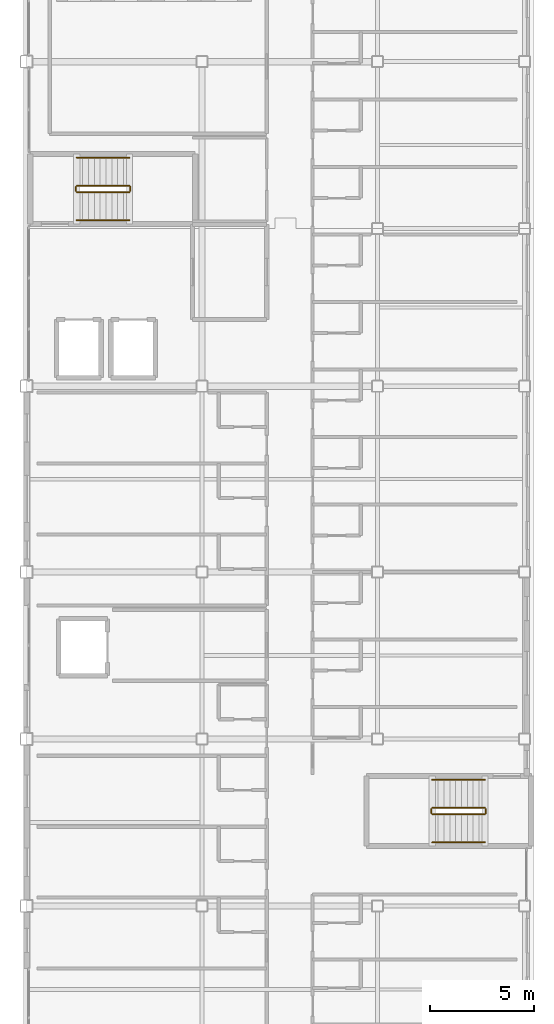
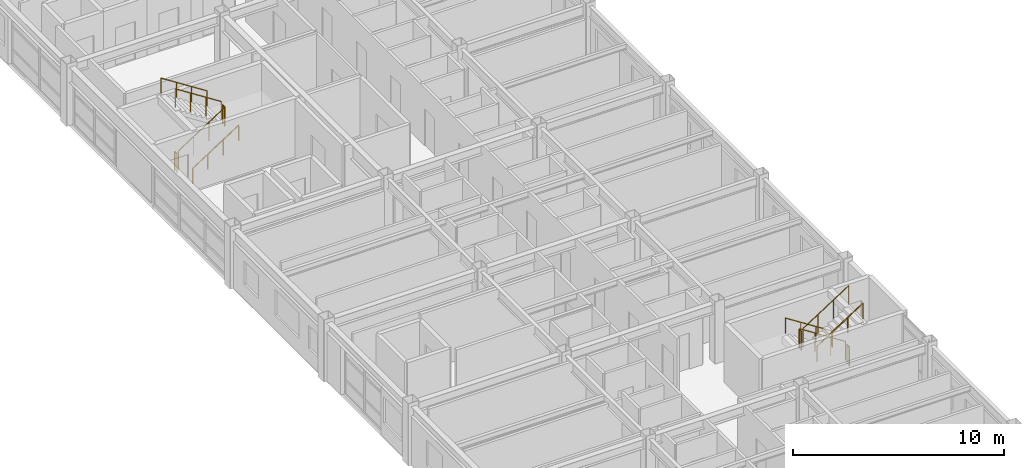
# One storey, part 35 of 36: 12 railings.
"""IFC4 building model written with IfcOpenShell, lengths in metres."""

from ifc_helpers import new_model, si_unit, direction, frame, origin, origin_2d, place, context, subcontext, project, spatial, circle, extrude, material, type_object, element, save


model = new_model("IFC4")

# Units and contexts
model_context = context("Model", 3, precision=1e-05, world=origin(), true_north=direction((0.0, 1.0)))
body_context = subcontext(model_context, "Body", "Model", "MODEL_VIEW")
ifc_project = project(units=[si_unit("LENGTHUNIT", "METRE"), si_unit("AREAUNIT", "SQUARE_METRE"), si_unit("VOLUMEUNIT", "CUBIC_METRE"), si_unit("PLANEANGLEUNIT", "RADIAN"), si_unit("MASSUNIT", "GRAM", prefix="KILO")], contexts=[model_context])

# Site, building, storey
site_placement = place(None, origin())
site = spatial("IfcSite", under=ifc_project, at=site_placement, CompositionType="ELEMENT")
building_placement = place(site_placement, origin())
building = spatial("IfcBuilding", under=site, at=building_placement, Name="Kazehara Bluff Congress Hotel", CompositionType="ELEMENT")
storey_placement = place(building_placement, frame((0.0, 0.0, 28.199951171875)))
storey = spatial("IfcBuildingStorey", under=building, at=storey_placement, Name="L06", CompositionType="ELEMENT", Elevation=28.199951171875)

# Railings
ifc_material_1 = material(Name="Brushed stainless steel", Category="steel")
railing_type_1 = type_object("IfcRailingType", Name="TP-GRD-INT", PredefinedType="GUARDRAIL", material=ifc_material_1)
railing_1_placement = place(storey_placement, frame((165.64990234375, 20.699951171875, 0.179931640625)))
element("IfcRailing", 1, at=railing_1_placement, inside=storey, type_object=railing_type_1, Name="L06 ST-10 stair guard 1", PredefinedType="GUARDRAIL", context=body_context, shape_type="SweptSolid", body=[
    extrude(circle(Radius=0.02392578125, at=origin_2d()), frame((0.0, 0.0, 1.076171875), z_axis=(-0.841162588446, 0.0, 0.540782303519), x_axis=(0.0, -1.0, 0.0)), (0.0, 0.0, 1.0), 2.995849609375),
    extrude(circle(Radius=0.02099609375, at=origin_2d()), origin(), (0.0, 0.0, 1.0), 1.052001953125),
    extrude(circle(Radius=0.02099609375, at=origin_2d()), frame((-0.840087890625, 0.0, 0.5400390625)), (0.0, 0.0, 1.0), 1.052001953125),
    extrude(circle(Radius=0.02099609375, at=origin_2d()), frame((-1.679931640625, 0.0, 1.080078125)), (0.0, 0.0, 1.0), 1.052001953125),
    extrude(circle(Radius=0.02099609375, at=origin_2d()), frame((-2.52001953125, 0.0, 1.6201171875)), (0.0, 0.0, 1.0), 1.052001953125),
])
railing_2_placement = place(storey_placement, frame((163.080078125, 20.64990234375, 1.800048828125)))
element("IfcRailing", 2, at=railing_2_placement, inside=storey, type_object=railing_type_1, Name="L06 ST-10 stair guard 2", PredefinedType="GUARDRAIL", context=body_context, shape_type="SweptSolid", body=[
    extrude(circle(Radius=0.02392578125, at=origin_2d()), frame((0.0, 0.0, 1.076171875), z_axis=(0.0, -1.0, 0.0), x_axis=(1.0, 0.0, 0.0)), (0.0, 0.0, 1.0), 0.199951171875),
    extrude(circle(Radius=0.02099609375, at=origin_2d()), origin(), (0.0, 0.0, 1.0), 1.052001953125),
    extrude(circle(Radius=0.02099609375, at=origin_2d()), frame((0.0, -0.199951171875, 0.0)), (0.0, 0.0, 1.0), 1.052001953125),
])
railing_3_placement = place(storey_placement, frame((163.1298828125, 20.39990234375, 1.97998046875)))
element("IfcRailing", 3, at=railing_3_placement, inside=storey, type_object=railing_type_1, Name="L06 ST-10 stair guard 3", PredefinedType="GUARDRAIL", context=body_context, shape_type="SweptSolid", body=[
    extrude(circle(Radius=0.02392578125, at=origin_2d()), frame((0.0, 0.0, 1.076171875), z_axis=(0.841162588446, 0.0, 0.540782303519), x_axis=(0.0, 1.0, 0.0)), (0.0, 0.0, 1.0), 2.995849609375),
    extrude(circle(Radius=0.02099609375, at=origin_2d()), origin(), (0.0, 0.0, 1.0), 1.052001953125),
    extrude(circle(Radius=0.02099609375, at=origin_2d()), frame((0.840087890625, 0.0, 0.5400390625)), (0.0, 0.0, 1.0), 1.052001953125),
    extrude(circle(Radius=0.02099609375, at=origin_2d()), frame((1.679931640625, 0.0, 1.080078125)), (0.0, 0.0, 1.0), 1.052001953125),
    extrude(circle(Radius=0.02099609375, at=origin_2d()), frame((2.52001953125, 0.0, 1.6201171875)), (0.0, 0.0, 1.0), 1.052001953125),
])
railing_4_placement = place(storey_placement, frame((165.699951171875, 20.64990234375, 0.0)))
element("IfcRailing", 4, at=railing_4_placement, inside=storey, type_object=railing_type_1, Name="L06 ST-10 stair guard 4", PredefinedType="GUARDRAIL", context=body_context, shape_type="SweptSolid", body=[
    extrude(circle(Radius=0.02392578125, at=origin_2d()), frame((0.0, 0.0, 1.076171875), z_axis=(0.0, -1.0, 0.0), x_axis=(1.0, 0.0, 0.0)), (0.0, 0.0, 1.0), 0.199951171875),
    extrude(circle(Radius=0.02099609375, at=origin_2d()), origin(), (0.0, 0.0, 1.0), 1.052001953125),
    extrude(circle(Radius=0.02099609375, at=origin_2d()), frame((0.0, -0.199951171875, 0.0)), (0.0, 0.0, 1.0), 1.052001953125),
])
railing_5_placement = place(storey_placement, frame((146.10009765625, 50.199951171875, 0.179931640625)))
element("IfcRailing", 5, at=railing_5_placement, inside=storey, type_object=railing_type_1, Name="L06 ST-11 stair guard 1", PredefinedType="GUARDRAIL", context=body_context, shape_type="SweptSolid", body=[
    extrude(circle(Radius=0.02392578125, at=origin_2d()), frame((0.0, 0.0, 1.076171875), z_axis=(0.841162588446, 0.0, 0.540782303519), x_axis=(0.0, 1.0, 0.0)), (0.0, 0.0, 1.0), 2.995849609375),
    extrude(circle(Radius=0.02099609375, at=origin_2d()), origin(), (0.0, 0.0, 1.0), 1.052001953125),
    extrude(circle(Radius=0.02099609375, at=origin_2d()), frame((0.840087890625, 0.0, 0.5400390625)), (0.0, 0.0, 1.0), 1.052001953125),
    extrude(circle(Radius=0.02099609375, at=origin_2d()), frame((1.679931640625, 0.0, 1.080078125)), (0.0, 0.0, 1.0), 1.052001953125),
    extrude(circle(Radius=0.02099609375, at=origin_2d()), frame((2.52001953125, 0.0, 1.6201171875)), (0.0, 0.0, 1.0), 1.052001953125),
])
railing_6_placement = place(storey_placement, frame((148.669921875, 50.25, 1.800048828125)))
element("IfcRailing", 6, at=railing_6_placement, inside=storey, type_object=railing_type_1, Name="L06 ST-11 stair guard 2", PredefinedType="GUARDRAIL", context=body_context, shape_type="SweptSolid", body=[
    extrude(circle(Radius=0.02392578125, at=origin_2d()), frame((0.0, 0.0, 1.076171875), z_axis=(0.0, 1.0, 0.0), x_axis=(-1.0, 0.0, 0.0)), (0.0, 0.0, 1.0), 0.199951171875),
    extrude(circle(Radius=0.02099609375, at=origin_2d()), origin(), (0.0, 0.0, 1.0), 1.052001953125),
    extrude(circle(Radius=0.02099609375, at=origin_2d()), frame((0.0, 0.199951171875, 0.0)), (0.0, 0.0, 1.0), 1.052001953125),
])
railing_7_placement = place(storey_placement, frame((148.6201171875, 50.5, 1.97998046875)))
element("IfcRailing", 7, at=railing_7_placement, inside=storey, type_object=railing_type_1, Name="L06 ST-11 stair guard 3", PredefinedType="GUARDRAIL", context=body_context, shape_type="SweptSolid", body=[
    extrude(circle(Radius=0.02392578125, at=origin_2d()), frame((0.0, 0.0, 1.076171875), z_axis=(-0.841162588446, 0.0, 0.540782303519), x_axis=(0.0, -1.0, 0.0)), (0.0, 0.0, 1.0), 2.995849609375),
    extrude(circle(Radius=0.02099609375, at=origin_2d()), origin(), (0.0, 0.0, 1.0), 1.052001953125),
    extrude(circle(Radius=0.02099609375, at=origin_2d()), frame((-0.840087890625, 0.0, 0.5400390625)), (0.0, 0.0, 1.0), 1.052001953125),
    extrude(circle(Radius=0.02099609375, at=origin_2d()), frame((-1.679931640625, 0.0, 1.080078125)), (0.0, 0.0, 1.0), 1.052001953125),
    extrude(circle(Radius=0.02099609375, at=origin_2d()), frame((-2.52001953125, 0.0, 1.6201171875)), (0.0, 0.0, 1.0), 1.052001953125),
])
railing_8_placement = place(storey_placement, frame((146.050048828125, 50.25, 0.0)))
element("IfcRailing", 8, at=railing_8_placement, inside=storey, type_object=railing_type_1, Name="L06 ST-11 stair guard 4", PredefinedType="GUARDRAIL", context=body_context, shape_type="SweptSolid", body=[
    extrude(circle(Radius=0.02392578125, at=origin_2d()), frame((0.0, 0.0, 1.076171875), z_axis=(0.0, 1.0, 0.0), x_axis=(-1.0, 0.0, 0.0)), (0.0, 0.0, 1.0), 0.199951171875),
    extrude(circle(Radius=0.02099609375, at=origin_2d()), origin(), (0.0, 0.0, 1.0), 1.052001953125),
    extrude(circle(Radius=0.02099609375, at=origin_2d()), frame((0.0, 0.199951171875, 0.0)), (0.0, 0.0, 1.0), 1.052001953125),
])
ifc_material_2 = material(Name="Brushed stainless steel", Category="steel")
railing_type_2 = type_object("IfcRailingType", Name="TP-HR-INT", PredefinedType="HANDRAIL", material=ifc_material_2)
railing_9_placement = place(storey_placement, frame((165.64990234375, 22.050048828125, 0.179931640625)))
element("IfcRailing", 9, at=railing_9_placement, inside=storey, type_object=railing_type_2, Name="L06 ST-10 stair handrail 1", PredefinedType="HANDRAIL", context=body_context, shape_type="SweptSolid", body=[
    extrude(circle(Radius=0.02392578125, at=origin_2d()), frame((0.0, 0.0, 0.8759765625), z_axis=(-0.841162588446, 0.0, 0.540782303519), x_axis=(0.0, -1.0, 0.0)), (0.0, 0.0, 1.0), 2.995849609375),
    extrude(circle(Radius=0.02099609375, at=origin_2d()), origin(), (0.0, 0.0, 1.0), 0.851806640625),
    extrude(circle(Radius=0.02099609375, at=origin_2d()), frame((-0.840087890625, 0.0, 0.5400390625)), (0.0, 0.0, 1.0), 0.851806640625),
    extrude(circle(Radius=0.02099609375, at=origin_2d()), frame((-1.679931640625, 0.0, 1.080078125)), (0.0, 0.0, 1.0), 0.851806640625),
    extrude(circle(Radius=0.02099609375, at=origin_2d()), frame((-2.52001953125, 0.0, 1.6201171875)), (0.0, 0.0, 1.0), 0.851806640625),
])
for number, where, name in (
    (10, (163.1298828125, 19.050048828125, 1.97998046875), "L06 ST-10 stair handrail 2"),
    (11, (146.10009765625, 48.85009765625, 0.179931640625), "L06 ST-11 stair handrail 1"),
):
    element("IfcRailing", number, at=place(storey_placement, frame(where)), inside=storey, type_object=railing_type_2, Name=name, PredefinedType="HANDRAIL", context=body_context, shape_type="SweptSolid", body=[
        extrude(circle(Radius=0.02392578125, at=origin_2d()), frame((0.0, 0.0, 0.8759765625), z_axis=(0.841162588446, 0.0, 0.540782303519), x_axis=(0.0, 1.0, 0.0)), (0.0, 0.0, 1.0), 2.995849609375),
        extrude(circle(Radius=0.02099609375, at=origin_2d()), origin(), (0.0, 0.0, 1.0), 0.851806640625),
        extrude(circle(Radius=0.02099609375, at=origin_2d()), frame((0.840087890625, 0.0, 0.5400390625)), (0.0, 0.0, 1.0), 0.851806640625),
        extrude(circle(Radius=0.02099609375, at=origin_2d()), frame((1.679931640625, 0.0, 1.080078125)), (0.0, 0.0, 1.0), 0.851806640625),
        extrude(circle(Radius=0.02099609375, at=origin_2d()), frame((2.52001953125, 0.0, 1.6201171875)), (0.0, 0.0, 1.0), 0.851806640625),
    ])
railing_10_placement = place(storey_placement, frame((148.6201171875, 51.85009765625, 1.97998046875)))
element("IfcRailing", 12, at=railing_10_placement, inside=storey, type_object=railing_type_2, Name="L06 ST-11 stair handrail 2", PredefinedType="HANDRAIL", context=body_context, shape_type="SweptSolid", body=[
    extrude(circle(Radius=0.02392578125, at=origin_2d()), frame((0.0, 0.0, 0.8759765625), z_axis=(-0.841162588446, 0.0, 0.540782303519), x_axis=(0.0, -1.0, 0.0)), (0.0, 0.0, 1.0), 2.995849609375),
    extrude(circle(Radius=0.02099609375, at=origin_2d()), origin(), (0.0, 0.0, 1.0), 0.851806640625),
    extrude(circle(Radius=0.02099609375, at=origin_2d()), frame((-0.840087890625, 0.0, 0.5400390625)), (0.0, 0.0, 1.0), 0.851806640625),
    extrude(circle(Radius=0.02099609375, at=origin_2d()), frame((-1.679931640625, 0.0, 1.080078125)), (0.0, 0.0, 1.0), 0.851806640625),
    extrude(circle(Radius=0.02099609375, at=origin_2d()), frame((-2.52001953125, 0.0, 1.6201171875)), (0.0, 0.0, 1.0), 0.851806640625),
])

save(model, "model.ifc")
